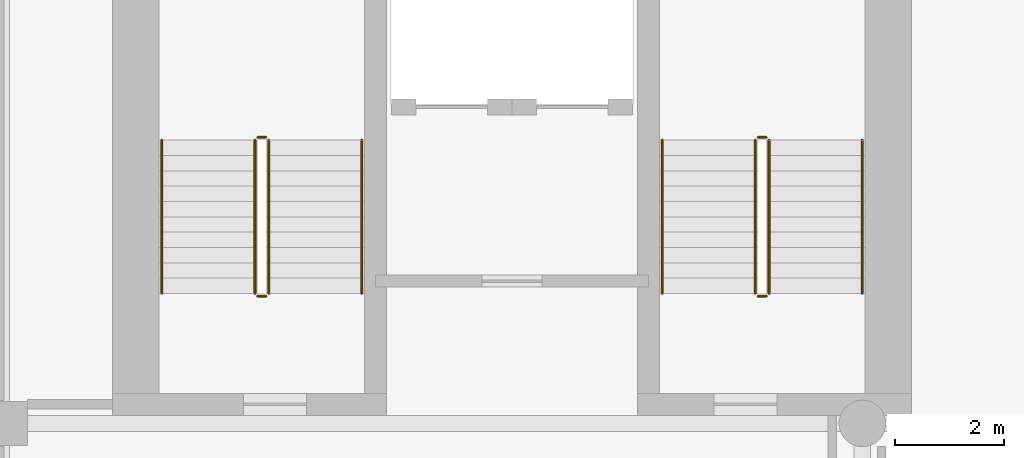
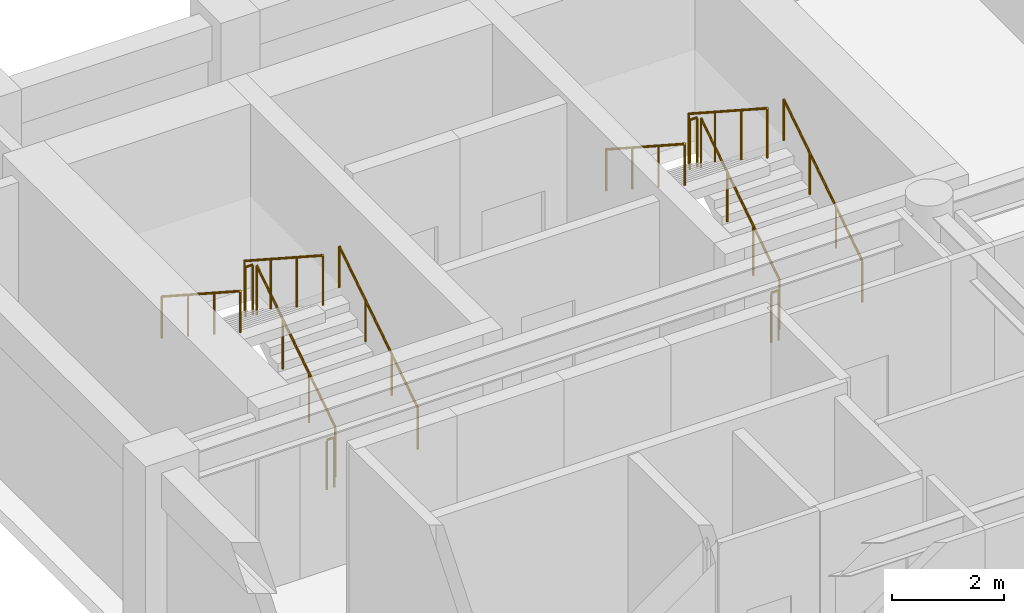
# One storey, part 7 of 8: 12 railings.
"""IFC4 building model written with IfcOpenShell, lengths in metres."""

from ifc_helpers import new_model, si_unit, direction, frame, origin, origin_2d, place, context, subcontext, project, spatial, circle, extrude, material, type_object, element, save


model = new_model("IFC4")

# Units and contexts
model_context = context("Model", 3, precision=1e-05, world=origin(), true_north=direction((0.0, 1.0)))
body_context = subcontext(model_context, "Body", "Model", "MODEL_VIEW")
ifc_project = project(units=[si_unit("LENGTHUNIT", "METRE"), si_unit("AREAUNIT", "SQUARE_METRE"), si_unit("VOLUMEUNIT", "CUBIC_METRE"), si_unit("PLANEANGLEUNIT", "RADIAN"), si_unit("MASSUNIT", "GRAM", prefix="KILO")], contexts=[model_context])

# Site, building, storey
site_placement = place(None, origin())
site = spatial("IfcSite", under=ifc_project, at=site_placement, CompositionType="ELEMENT")
building_placement = place(site_placement, origin())
building = spatial("IfcBuilding", under=site, at=building_placement, Name="Sulina Concourse Tower", CompositionType="ELEMENT")
storey_placement = place(building_placement, frame((0.0, 0.0, 178.60009765625)))
storey = spatial("IfcBuildingStorey", under=building, at=storey_placement, Name="L43", CompositionType="ELEMENT", Elevation=178.60009765625)

# Railings
ifc_material_1 = material(Name="Galvanised steel railing", Category="steel")
railing_type_1 = type_object("IfcRailingType", Name="Core Stair Steel Guardrail 1150mm", PredefinedType="GUARDRAIL", material=ifc_material_1)
railing_1_placement = place(storey_placement, frame((5.554931640625, 36.375, 0.181640625)))
element("IfcRailing", 1, at=railing_1_placement, inside=storey, type_object=railing_type_1, Name="L43 ST-1 stair guard 1", PredefinedType="GUARDRAIL", context=body_context, shape_type="SweptSolid", body=[
    extrude(circle(Radius=0.02392578125, at=origin_2d()), frame((0.0, 0.0, 1.076171875), z_axis=(0.0, 0.838672427954, 0.544636170843), x_axis=(-1.0, 0.0, 0.0)), (0.0, 0.0, 1.0), 3.338623046875),
    extrude(circle(Radius=0.02099609375, at=origin_2d()), origin(), (0.0, 0.0, 1.0), 1.052001953125),
    extrude(circle(Radius=0.02099609375, at=origin_2d()), frame((0.0, 0.933349609375, 0.606201171875)), (0.0, 0.0, 1.0), 1.052001953125),
    extrude(circle(Radius=0.02099609375, at=origin_2d()), frame((0.0, 1.86669921875, 1.212158203125)), (0.0, 0.0, 1.0), 1.052001953125),
    extrude(circle(Radius=0.02099609375, at=origin_2d()), frame((0.0, 2.800048828125, 1.818359375)), (0.0, 0.0, 1.0), 1.052001953125),
])
railing_2_placement = place(storey_placement, frame((5.5048828125, 39.22509765625, 2.0)))
element("IfcRailing", 2, at=railing_2_placement, inside=storey, type_object=railing_type_1, Name="L43 ST-1 stair guard 2", PredefinedType="GUARDRAIL", context=body_context, shape_type="SweptSolid", body=[
    extrude(circle(Radius=0.02392578125, at=origin_2d()), frame((0.0, 0.0, 1.076171875), z_axis=(-1.0, 0.0, 0.0), x_axis=(0.0, -1.0, 0.0)), (0.0, 0.0, 1.0), 0.14990234375),
    extrude(circle(Radius=0.02099609375, at=origin_2d()), origin(), (0.0, 0.0, 1.0), 1.052001953125),
    extrude(circle(Radius=0.02099609375, at=origin_2d()), frame((-0.14990234375, 0.0, 0.0)), (0.0, 0.0, 1.0), 1.052001953125),
])
railing_3_placement = place(storey_placement, frame((5.304931640625, 39.175048828125, 2.181640625)))
element("IfcRailing", 3, at=railing_3_placement, inside=storey, type_object=railing_type_1, Name="L43 ST-1 stair guard 3", PredefinedType="GUARDRAIL", context=body_context, shape_type="SweptSolid", body=[
    extrude(circle(Radius=0.02392578125, at=origin_2d()), frame((0.0, 0.0, 1.076171875), z_axis=(0.0, -0.838672427954, 0.544636170843), x_axis=(1.0, 0.0, 0.0)), (0.0, 0.0, 1.0), 3.338623046875),
    extrude(circle(Radius=0.02099609375, at=origin_2d()), origin(), (0.0, 0.0, 1.0), 1.052001953125),
    extrude(circle(Radius=0.02099609375, at=origin_2d()), frame((0.0, -0.933349609375, 0.606201171875)), (0.0, 0.0, 1.0), 1.052001953125),
    extrude(circle(Radius=0.02099609375, at=origin_2d()), frame((0.0, -1.86669921875, 1.212158203125)), (0.0, 0.0, 1.0), 1.052001953125),
    extrude(circle(Radius=0.02099609375, at=origin_2d()), frame((0.0, -2.800048828125, 1.818359375)), (0.0, 0.0, 1.0), 1.052001953125),
])
railing_4_placement = place(storey_placement, frame((5.5048828125, 36.324951171875, 0.0)))
element("IfcRailing", 4, at=railing_4_placement, inside=storey, type_object=railing_type_1, Name="L43 ST-1 stair guard 4", PredefinedType="GUARDRAIL", context=body_context, shape_type="SweptSolid", body=[
    extrude(circle(Radius=0.02392578125, at=origin_2d()), frame((0.0, 0.0, 1.076171875), z_axis=(-1.0, 0.0, 0.0), x_axis=(0.0, -1.0, 0.0)), (0.0, 0.0, 1.0), 0.14990234375),
    extrude(circle(Radius=0.02099609375, at=origin_2d()), origin(), (0.0, 0.0, 1.0), 1.052001953125),
    extrude(circle(Radius=0.02099609375, at=origin_2d()), frame((-0.14990234375, 0.0, 0.0)), (0.0, 0.0, 1.0), 1.052001953125),
])
railing_5_placement = place(storey_placement, frame((14.695068359375, 36.375, 0.181640625)))
element("IfcRailing", 5, at=railing_5_placement, inside=storey, type_object=railing_type_1, Name="L43 ST-2 stair guard 1", PredefinedType="GUARDRAIL", context=body_context, shape_type="SweptSolid", body=[
    extrude(circle(Radius=0.02392578125, at=origin_2d()), frame((0.0, 0.0, 1.076171875), z_axis=(0.0, 0.838672427954, 0.544636170843), x_axis=(-1.0, 0.0, 0.0)), (0.0, 0.0, 1.0), 3.338623046875),
    extrude(circle(Radius=0.02099609375, at=origin_2d()), origin(), (0.0, 0.0, 1.0), 1.052001953125),
    extrude(circle(Radius=0.02099609375, at=origin_2d()), frame((0.0, 0.933349609375, 0.606201171875)), (0.0, 0.0, 1.0), 1.052001953125),
    extrude(circle(Radius=0.02099609375, at=origin_2d()), frame((0.0, 1.86669921875, 1.212158203125)), (0.0, 0.0, 1.0), 1.052001953125),
    extrude(circle(Radius=0.02099609375, at=origin_2d()), frame((0.0, 2.800048828125, 1.818359375)), (0.0, 0.0, 1.0), 1.052001953125),
])
railing_6_placement = place(storey_placement, frame((14.64501953125, 39.22509765625, 2.0)))
element("IfcRailing", 6, at=railing_6_placement, inside=storey, type_object=railing_type_1, Name="L43 ST-2 stair guard 2", PredefinedType="GUARDRAIL", context=body_context, shape_type="SweptSolid", body=[
    extrude(circle(Radius=0.02392578125, at=origin_2d()), frame((0.0, 0.0, 1.076171875), z_axis=(-1.0, 0.0, 0.0), x_axis=(0.0, -1.0, 0.0)), (0.0, 0.0, 1.0), 0.14990234375),
    extrude(circle(Radius=0.02099609375, at=origin_2d()), origin(), (0.0, 0.0, 1.0), 1.052001953125),
    extrude(circle(Radius=0.02099609375, at=origin_2d()), frame((-0.14990234375, 0.0, 0.0)), (0.0, 0.0, 1.0), 1.052001953125),
])
railing_7_placement = place(storey_placement, frame((14.445068359375, 39.175048828125, 2.181640625)))
element("IfcRailing", 7, at=railing_7_placement, inside=storey, type_object=railing_type_1, Name="L43 ST-2 stair guard 3", PredefinedType="GUARDRAIL", context=body_context, shape_type="SweptSolid", body=[
    extrude(circle(Radius=0.02392578125, at=origin_2d()), frame((0.0, 0.0, 1.076171875), z_axis=(0.0, -0.838672427954, 0.544636170843), x_axis=(1.0, 0.0, 0.0)), (0.0, 0.0, 1.0), 3.338623046875),
    extrude(circle(Radius=0.02099609375, at=origin_2d()), origin(), (0.0, 0.0, 1.0), 1.052001953125),
    extrude(circle(Radius=0.02099609375, at=origin_2d()), frame((0.0, -0.933349609375, 0.606201171875)), (0.0, 0.0, 1.0), 1.052001953125),
    extrude(circle(Radius=0.02099609375, at=origin_2d()), frame((0.0, -1.86669921875, 1.212158203125)), (0.0, 0.0, 1.0), 1.052001953125),
    extrude(circle(Radius=0.02099609375, at=origin_2d()), frame((0.0, -2.800048828125, 1.818359375)), (0.0, 0.0, 1.0), 1.052001953125),
])
railing_8_placement = place(storey_placement, frame((14.64501953125, 36.324951171875, 0.0)))
element("IfcRailing", 8, at=railing_8_placement, inside=storey, type_object=railing_type_1, Name="L43 ST-2 stair guard 4", PredefinedType="GUARDRAIL", context=body_context, shape_type="SweptSolid", body=[
    extrude(circle(Radius=0.02392578125, at=origin_2d()), frame((0.0, 0.0, 1.076171875), z_axis=(-1.0, 0.0, 0.0), x_axis=(0.0, -1.0, 0.0)), (0.0, 0.0, 1.0), 0.14990234375),
    extrude(circle(Radius=0.02099609375, at=origin_2d()), origin(), (0.0, 0.0, 1.0), 1.052001953125),
    extrude(circle(Radius=0.02099609375, at=origin_2d()), frame((-0.14990234375, 0.0, 0.0)), (0.0, 0.0, 1.0), 1.052001953125),
])
ifc_material_2 = material(Name="Galvanised steel railing", Category="steel")
railing_type_2 = type_object("IfcRailingType", Name="Stair Wall Steel Handrail 920mm", PredefinedType="HANDRAIL", material=ifc_material_2)
railing_9_placement = place(storey_placement, frame((7.2548828125, 36.375, 0.181640625)))
element("IfcRailing", 9, at=railing_9_placement, inside=storey, type_object=railing_type_2, Name="L43 ST-1 stair handrail 1", PredefinedType="HANDRAIL", context=body_context, shape_type="SweptSolid", body=[
    extrude(circle(Radius=0.02392578125, at=origin_2d()), frame((0.0, 0.0, 0.89599609375), z_axis=(0.0, 0.838672427954, 0.544636170843), x_axis=(-1.0, 0.0, 0.0)), (0.0, 0.0, 1.0), 3.338623046875),
    extrude(circle(Radius=0.02099609375, at=origin_2d()), origin(), (0.0, 0.0, 1.0), 0.871826171875),
    extrude(circle(Radius=0.02099609375, at=origin_2d()), frame((0.0, 0.933349609375, 0.606201171875)), (0.0, 0.0, 1.0), 0.871826171875),
    extrude(circle(Radius=0.02099609375, at=origin_2d()), frame((0.0, 1.86669921875, 1.212158203125)), (0.0, 0.0, 1.0), 0.871826171875),
    extrude(circle(Radius=0.02099609375, at=origin_2d()), frame((0.0, 2.800048828125, 1.818359375)), (0.0, 0.0, 1.0), 0.871826171875),
])
railing_10_placement = place(storey_placement, frame((3.60498046875, 39.175048828125, 2.181640625)))
element("IfcRailing", 10, at=railing_10_placement, inside=storey, type_object=railing_type_2, Name="L43 ST-1 stair handrail 2", PredefinedType="HANDRAIL", context=body_context, shape_type="SweptSolid", body=[
    extrude(circle(Radius=0.02392578125, at=origin_2d()), frame((0.0, 0.0, 0.89599609375), z_axis=(0.0, -0.838672427954, 0.544636170843), x_axis=(1.0, 0.0, 0.0)), (0.0, 0.0, 1.0), 3.338623046875),
    extrude(circle(Radius=0.02099609375, at=origin_2d()), origin(), (0.0, 0.0, 1.0), 0.871826171875),
    extrude(circle(Radius=0.02099609375, at=origin_2d()), frame((0.0, -0.933349609375, 0.606201171875)), (0.0, 0.0, 1.0), 0.871826171875),
    extrude(circle(Radius=0.02099609375, at=origin_2d()), frame((0.0, -1.86669921875, 1.212158203125)), (0.0, 0.0, 1.0), 0.871826171875),
    extrude(circle(Radius=0.02099609375, at=origin_2d()), frame((0.0, -2.800048828125, 1.818359375)), (0.0, 0.0, 1.0), 0.871826171875),
])
railing_11_placement = place(storey_placement, frame((16.39501953125, 36.375, 0.181640625)))
element("IfcRailing", 11, at=railing_11_placement, inside=storey, type_object=railing_type_2, Name="L43 ST-2 stair handrail 1", PredefinedType="HANDRAIL", context=body_context, shape_type="SweptSolid", body=[
    extrude(circle(Radius=0.02392578125, at=origin_2d()), frame((0.0, 0.0, 0.89599609375), z_axis=(0.0, 0.838672427954, 0.544636170843), x_axis=(-1.0, 0.0, 0.0)), (0.0, 0.0, 1.0), 3.338623046875),
    extrude(circle(Radius=0.02099609375, at=origin_2d()), origin(), (0.0, 0.0, 1.0), 0.871826171875),
    extrude(circle(Radius=0.02099609375, at=origin_2d()), frame((0.0, 0.933349609375, 0.606201171875)), (0.0, 0.0, 1.0), 0.871826171875),
    extrude(circle(Radius=0.02099609375, at=origin_2d()), frame((0.0, 1.86669921875, 1.212158203125)), (0.0, 0.0, 1.0), 0.871826171875),
    extrude(circle(Radius=0.02099609375, at=origin_2d()), frame((0.0, 2.800048828125, 1.818359375)), (0.0, 0.0, 1.0), 0.871826171875),
])
railing_12_placement = place(storey_placement, frame((12.7451171875, 39.175048828125, 2.181640625)))
element("IfcRailing", 12, at=railing_12_placement, inside=storey, type_object=railing_type_2, Name="L43 ST-2 stair handrail 2", PredefinedType="HANDRAIL", context=body_context, shape_type="SweptSolid", body=[
    extrude(circle(Radius=0.02392578125, at=origin_2d()), frame((0.0, 0.0, 0.89599609375), z_axis=(0.0, -0.838672427954, 0.544636170843), x_axis=(1.0, 0.0, 0.0)), (0.0, 0.0, 1.0), 3.338623046875),
    extrude(circle(Radius=0.02099609375, at=origin_2d()), origin(), (0.0, 0.0, 1.0), 0.871826171875),
    extrude(circle(Radius=0.02099609375, at=origin_2d()), frame((0.0, -0.933349609375, 0.606201171875)), (0.0, 0.0, 1.0), 0.871826171875),
    extrude(circle(Radius=0.02099609375, at=origin_2d()), frame((0.0, -1.86669921875, 1.212158203125)), (0.0, 0.0, 1.0), 0.871826171875),
    extrude(circle(Radius=0.02099609375, at=origin_2d()), frame((0.0, -2.800048828125, 1.818359375)), (0.0, 0.0, 1.0), 0.871826171875),
])

save(model, "model.ifc")
